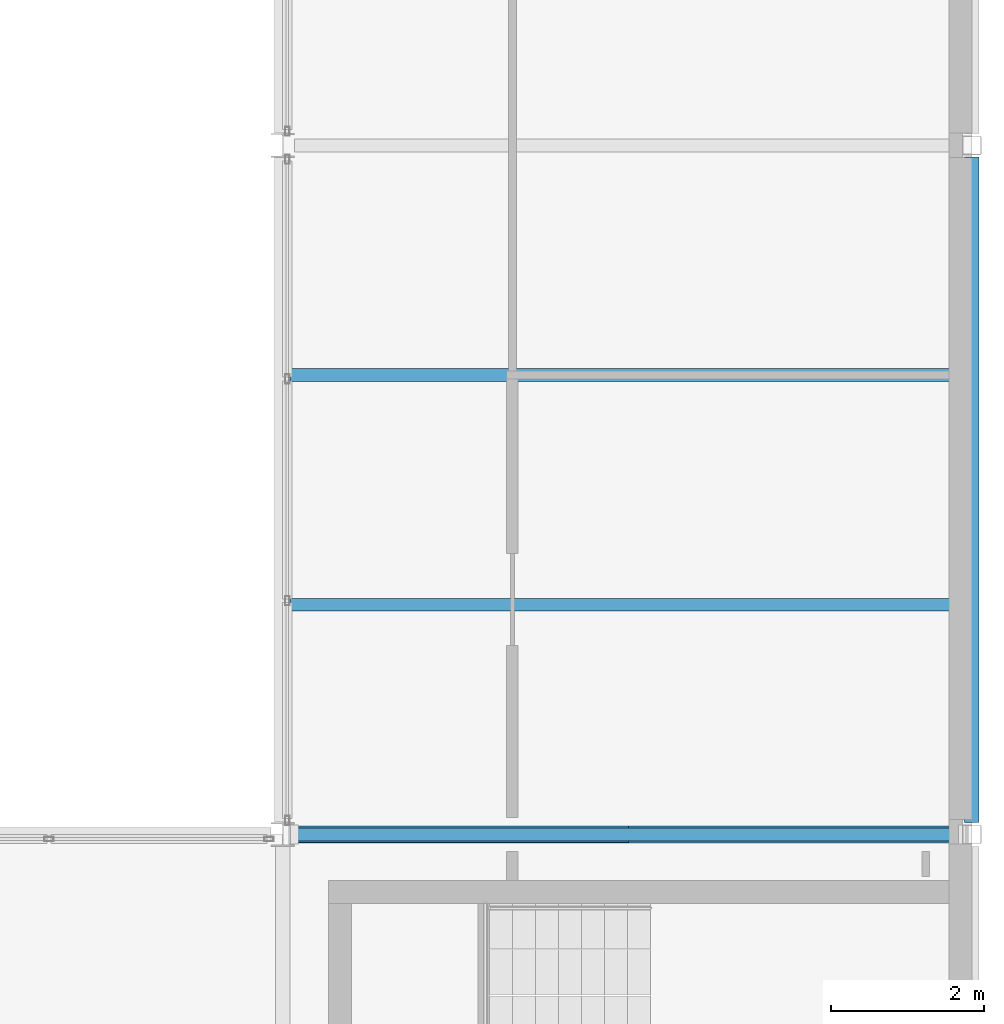
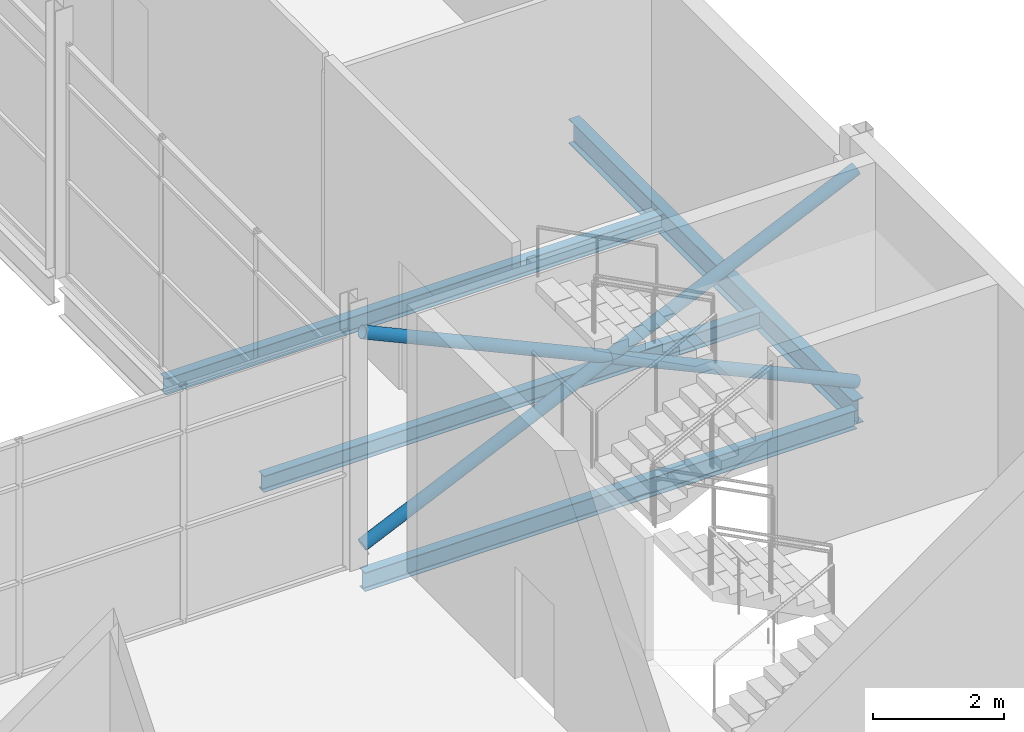
# One storey, part 37 of 61: 4 beams, 2 members.
"""IFC4 building model written with IfcOpenShell, lengths in metres."""

from ifc_helpers import new_model, si_unit, direction, frame, origin, origin_2d, place, context, subcontext, project, spatial, hollow_circle, i_section, extrude, material, material_profile, profile_set, type_object, element, save


model = new_model("IFC4")

# Units and contexts
model_context = context("Model", 3, precision=1e-05, world=origin(), true_north=direction((0.0, 1.0)))
body_context = subcontext(model_context, "Body", "Model", "MODEL_VIEW")
ifc_project = project(units=[si_unit("LENGTHUNIT", "METRE"), si_unit("AREAUNIT", "SQUARE_METRE"), si_unit("VOLUMEUNIT", "CUBIC_METRE"), si_unit("PLANEANGLEUNIT", "RADIAN"), si_unit("MASSUNIT", "GRAM", prefix="KILO")], contexts=[model_context])

# Site, building, storey
site_placement = place(None, origin())
site = spatial("IfcSite", under=ifc_project, at=site_placement, CompositionType="ELEMENT")
building_placement = place(site_placement, origin())
building = spatial("IfcBuilding", under=site, at=building_placement, Name="Shorebreak Coast Museum", CompositionType="ELEMENT")
storey_placement = place(building_placement, frame((0.0, 0.0, 26.0)))
storey = spatial("IfcBuildingStorey", under=building, at=storey_placement, Name="L04", CompositionType="ELEMENT", Elevation=26.0)

# Beams
ifc_material_1 = material(Name="Steel Grade 300", Category="steel")
ifc_material_profile_1 = material_profile(ifc_material_1, i_section(OverallWidth=0.1708984375, OverallDepth=0.35205078125, WebThickness=0.0068359375, FlangeThickness=0.009765625, FilletRadius=0.011474609375, at=origin_2d()), Name="360UB44.7")
ifc_profile_set_1 = profile_set([ifc_material_profile_1], Name="Steel Grade 300")
beam_type_1 = type_object("IfcBeamType", Name="Floor girder east-west 360UB44.7", PredefinedType="BEAM", material=ifc_profile_set_1)
beam_1_placement = place(storey_placement, frame((108.154541015625, 63.0, -0.35107421875), z_axis=(1.0, 0.0, 0.0), x_axis=(0.0, 1.0, 0.0)))
element("IfcBeam", 1, at=beam_1_placement, inside=storey, type_object=beam_type_1, Name="Floor girder east-west L04 13H", PredefinedType="BEAM", context=body_context, shape_type="SweptSolid", body=[
    extrude(i_section(OverallWidth=0.1708984375, OverallDepth=0.35205078125, WebThickness=0.0068359375, FlangeThickness=0.009765625, FilletRadius=0.011474609375, at=origin_2d()), origin(), (0.0, 0.0, 1.0), 8.69287109375),
])
ifc_material_2 = material(Name="Steel Grade 300", Category="steel")
ifc_material_profile_2 = material_profile(ifc_material_2, i_section(OverallWidth=0.18994140625, OverallDepth=0.453857421875, WebThickness=0.008544921875, FlangeThickness=0.0126953125, FilletRadius=0.011474609375, at=origin_2d()), Name="460UB67.1")
ifc_profile_set_2 = profile_set([ifc_material_profile_2], Name="Steel Grade 300")
beam_type_2 = type_object("IfcBeamType", Name="Floor girder north-south 460UB67.1", PredefinedType="BEAM", material=ifc_profile_set_2)
beam_2_placement = place(storey_placement, frame((117.0, 63.154052734375, -0.40185546875), z_axis=(0.0, 1.0, 0.0), x_axis=(-1.0, 0.0, 0.0)))
element("IfcBeam", 2, at=beam_2_placement, inside=storey, type_object=beam_type_2, Name="Floor girder north-south L04 14H", PredefinedType="BEAM", context=body_context, shape_type="SweptSolid", body=[
    extrude(i_section(OverallWidth=0.18994140625, OverallDepth=0.453857421875, WebThickness=0.008544921875, FlangeThickness=0.0126953125, FilletRadius=0.011474609375, at=origin_2d()), origin(), (0.0, 0.0, 1.0), 8.69189453125),
])
ifc_material_3 = material(Name="Steel Grade 300", Category="steel")
ifc_material_profile_3 = material_profile(ifc_material_3, i_section(OverallWidth=0.1650390625, OverallDepth=0.303955078125, WebThickness=0.006103515625, FlangeThickness=0.01025390625, FilletRadius=0.011474609375, at=origin_2d()), Name="310UB40.4")
ifc_profile_set_3 = profile_set([ifc_material_profile_3], Name="Steel Grade 300")
beam_type_3 = type_object("IfcBeamType", Name="Floor joist 310UB40.4", PredefinedType="JOIST", material=ifc_profile_set_3)
for number, where, z_axis, x_axis, name in (
    (3, (108.1044921875, 66.0, -0.326904296875), (1.0, 0.0, 0.0), (0.0, 1.0, 0.0), "Floor joist L04 bay 13H at 3000 mm"),
    (4, (108.1044921875, 69.0, -0.326904296875), (1.0, 0.0, 0.0), (0.0, 1.0, 0.0), "Floor joist L04 bay 13H at 6000 mm"),
):
    element("IfcBeam", number, at=place(storey_placement, frame(where, z_axis=z_axis, x_axis=x_axis)), inside=storey, type_object=beam_type_3, Name=name, PredefinedType="JOIST", context=body_context, shape_type="SweptSolid", body=[
        extrude(i_section(OverallWidth=0.1650390625, OverallDepth=0.303955078125, WebThickness=0.006103515625, FlangeThickness=0.01025390625, FilletRadius=0.011474609375, at=origin_2d()), origin(), (0.0, 0.0, 1.0), 8.800537109375),
    ])

# Members
ifc_material_4 = material(Name="Steel Grade C350L0", Category="steel")
ifc_material_profile_4 = material_profile(ifc_material_4, hollow_circle(Radius=0.109619140625, WallThickness=0.00830078125, at=origin_2d()), Name="219.1x8.2 CHS")
ifc_profile_set_4 = profile_set([ifc_material_profile_4], Name="Steel Grade C350L0")
member_type = type_object("IfcMemberType", Name="X-brace 219.1x8.2 CHS", PredefinedType="BRACE", material=ifc_profile_set_4)
for number, where, z_axis, x_axis, name in (
    (5, (108.153564453125, 63.0, 0.300048828125), (0.909950784, 0.0, 0.414716253235), (0.0, 1.0, 0.0), "X-brace bay 02 L04 diagonal 1"),
    (6, (116.875, 63.0, 0.300048828125), (-0.909950784, 0.0, 0.414716253235), (0.0, -1.0, 0.0), "X-brace bay 02 L04 diagonal 2"),
):
    element("IfcMember", number, at=place(storey_placement, frame(where, z_axis=z_axis, x_axis=x_axis)), inside=storey, type_object=member_type, Name=name, PredefinedType="BRACE", context=body_context, shape_type="SweptSolid", body=[
        extrude(hollow_circle(Radius=0.109619140625, WallThickness=0.00830078125, at=origin_2d()), origin(), (0.0, 0.0, 1.0), 9.58447265625),
    ])

save(model, "model.ifc")
